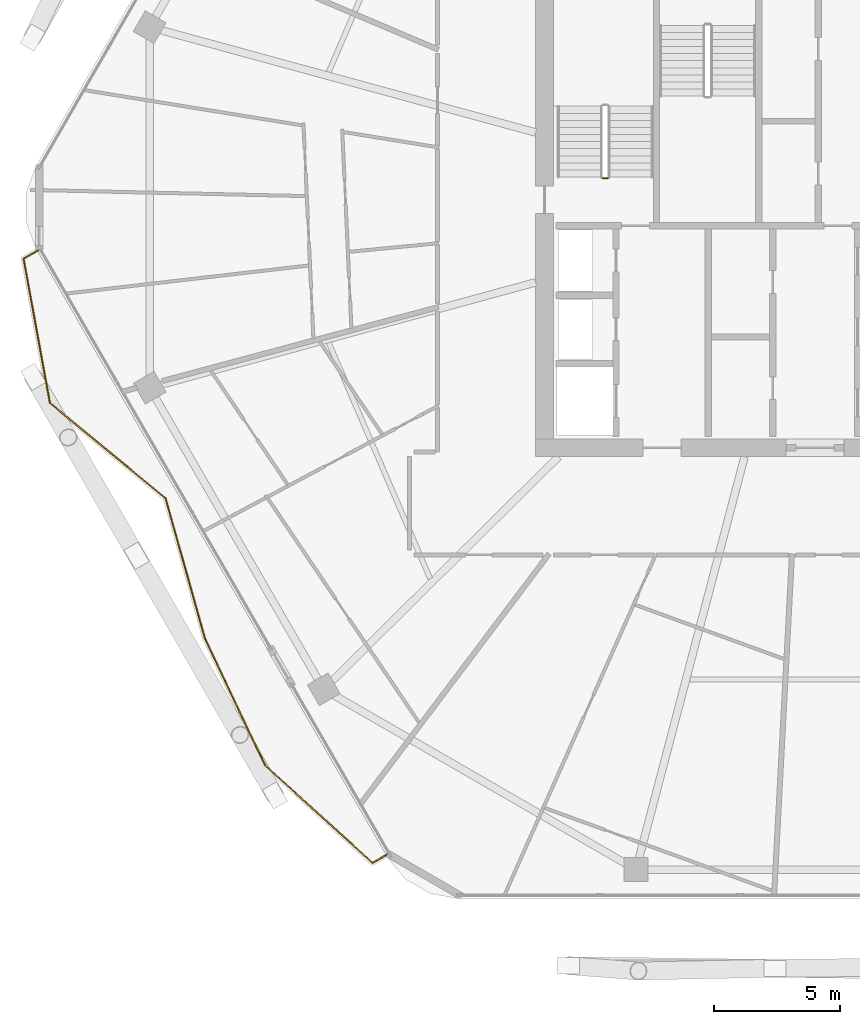
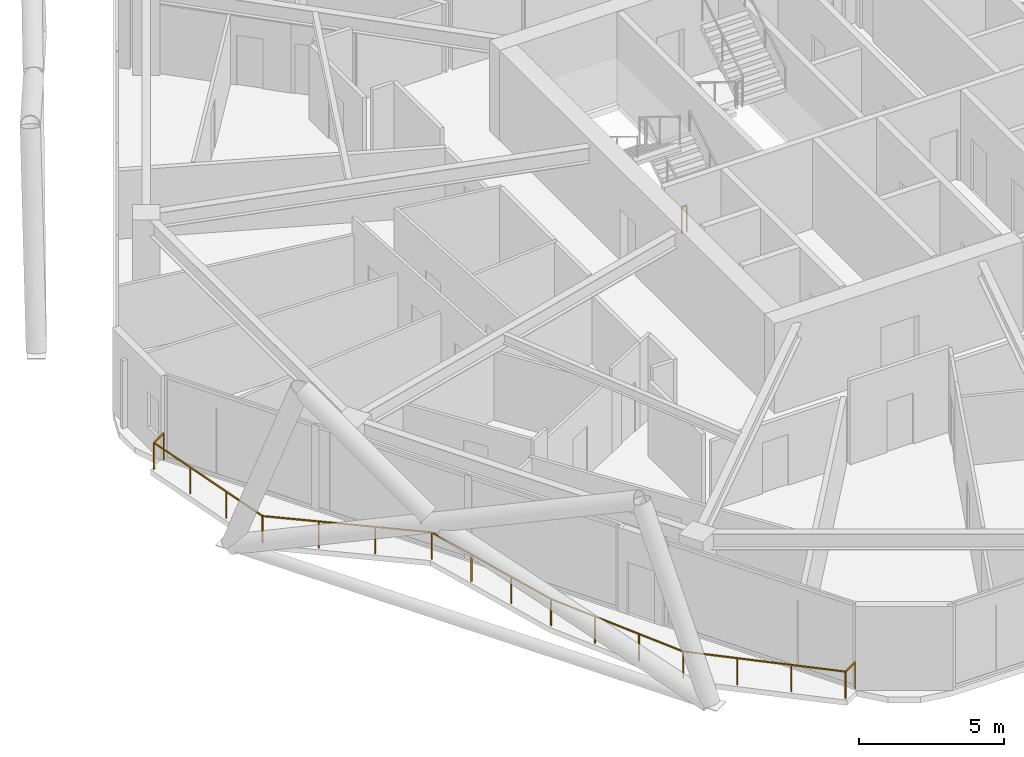
# One storey, part 27 of 29: 2 railings.
"""IFC4 building model written with IfcOpenShell, lengths in metres."""

from ifc_helpers import new_model, si_unit, direction, frame, origin, origin_2d, place, context, subcontext, project, spatial, rectangle, extrude, material, type_object, element, save


model = new_model("IFC4")

# Units and contexts
model_context = context("Model", 3, precision=1e-05, world=origin(), true_north=direction((0.0, 1.0)))
body_context = subcontext(model_context, "Body", "Model", "MODEL_VIEW")
ifc_project = project(units=[si_unit("LENGTHUNIT", "METRE"), si_unit("AREAUNIT", "SQUARE_METRE"), si_unit("VOLUMEUNIT", "CUBIC_METRE"), si_unit("PLANEANGLEUNIT", "RADIAN"), si_unit("MASSUNIT", "GRAM", prefix="KILO")], contexts=[model_context])

# Site, building, storey
site_placement = place(None, origin())
site = spatial("IfcSite", under=ifc_project, at=site_placement, CompositionType="ELEMENT")
building_placement = place(site_placement, origin())
building = spatial("IfcBuilding", under=site, at=building_placement, Name="Zuhravey Tower", CompositionType="ELEMENT")
storey_placement = place(building_placement, frame((0.0, 0.0, 192.199951171875)))
storey = spatial("IfcBuildingStorey", under=building, at=storey_placement, Name="L48", CompositionType="ELEMENT", Elevation=192.199951171875)

# Railings
ifc_material_1 = material(Name="Stainless steel 316 and laminated glass", Category="steel")
railing_type_1 = type_object("IfcRailingType", Name="Balcony & Terrace Guardrail 1150", PredefinedType="BALUSTRADE", material=ifc_material_1)
railing_1_placement = place(storey_placement, frame((19.280029296875, 6.423583984375, 0.0)))
element("IfcRailing", 1, at=railing_1_placement, inside=storey, type_object=railing_type_1, Name="L48 Face 4 Wave Balcony Guardrail GR1", PredefinedType="BALUSTRADE", context=body_context, shape_type="SweptSolid", body=[
    extrude(rectangle(XDim=0.048095703125, YDim=0.048095703125, at=origin_2d()), frame((-0.001708984375, -0.0009765625, 1.1259765625), z_axis=(-0.866027105532, -0.499997052475, 0.0), x_axis=(0.499997052475, -0.866027105532, 0.0)), (0.0, 0.0, 1.0), 0.6630859375),
    extrude(rectangle(XDim=0.048095703125, YDim=0.048095703125, at=origin_2d()), frame((-0.5791015625, -0.33203125, 1.1259765625), z_axis=(-0.740149800828, 0.672442021541, 0.0), x_axis=(-0.672442021541, -0.740149800828, 0.0)), (0.0, 0.0, 1.0), 5.736328125),
    extrude(rectangle(XDim=0.048095703125, YDim=0.048095703125, at=origin_2d()), frame((-4.827392578125, 3.5283203125, 1.1259765625), z_axis=(-0.428167707471, 0.903699294168, 0.0), x_axis=(-0.903699294168, -0.428167707471, 0.0)), (0.0, 0.0, 1.0), 5.542236328125),
    extrude(rectangle(XDim=0.048095703125, YDim=0.048095703125, at=origin_2d()), frame((-7.20166015625, 8.540771484375, 1.1259765625), z_axis=(-0.270814360083, 0.962631592237, 0.0), x_axis=(-0.962631592237, -0.270814360083, 0.0)), (0.0, 0.0, 1.0), 5.752197265625),
    extrude(rectangle(XDim=0.048095703125, YDim=0.048095703125, at=origin_2d()), frame((-8.761474609375, 14.0810546875, 1.1259765625), z_axis=(-0.77144001651, 0.636302051644, 0.0), x_axis=(-0.636302051644, -0.77144001651, 0.0)), (0.0, 0.0, 1.0), 5.921630859375),
    extrude(rectangle(XDim=0.048095703125, YDim=0.048095703125, at=origin_2d()), frame((-13.33154296875, 17.852294921875, 1.1259765625), z_axis=(-0.179222887561, 0.983808495884, 0.0), x_axis=(-0.983808495884, -0.179222887561, 0.0)), (0.0, 0.0, 1.0), 5.78955078125),
    extrude(rectangle(XDim=0.048095703125, YDim=0.048095703125, at=origin_2d()), frame((-14.367919921875, 23.551025390625, 1.1259765625), z_axis=(0.865966883336, 0.500101346695, 0.0), x_axis=(-0.500101346695, 0.865966883336, 0.0)), (0.0, 0.0, 1.0), 0.665283203125),
    extrude(rectangle(XDim=0.0419921875, YDim=0.0419921875, at=origin_2d()), origin(), (0.0, 0.0, 1.0), 1.099853515625),
    extrude(rectangle(XDim=0.0419921875, YDim=0.0419921875, at=origin_2d()), frame((-0.57763671875, -0.33349609375, 0.0)), (0.0, 0.0, 1.0), 1.099853515625),
    extrude(rectangle(XDim=0.0419921875, YDim=0.0419921875, at=origin_2d()), frame((-1.993896484375, 0.953125, 0.0)), (0.0, 0.0, 1.0), 1.099853515625),
    extrude(rectangle(XDim=0.0419921875, YDim=0.0419921875, at=origin_2d()), frame((-3.41015625, 2.239990234375, 0.0)), (0.0, 0.0, 1.0), 1.099853515625),
    extrude(rectangle(XDim=0.0419921875, YDim=0.0419921875, at=origin_2d()), frame((-4.826416015625, 3.526611328125, 0.0)), (0.0, 0.0, 1.0), 1.099853515625),
    extrude(rectangle(XDim=0.0419921875, YDim=0.0419921875, at=origin_2d()), frame((-5.617919921875, 5.197265625, 0.0)), (0.0, 0.0, 1.0), 1.099853515625),
    extrude(rectangle(XDim=0.0419921875, YDim=0.0419921875, at=origin_2d()), frame((-6.40966796875, 6.8681640625, 0.0)), (0.0, 0.0, 1.0), 1.099853515625),
    extrude(rectangle(XDim=0.0419921875, YDim=0.0419921875, at=origin_2d()), frame((-7.201171875, 8.538818359375, 0.0)), (0.0, 0.0, 1.0), 1.099853515625),
    extrude(rectangle(XDim=0.0419921875, YDim=0.0419921875, at=origin_2d()), frame((-7.720703125, 10.3857421875, 0.0)), (0.0, 0.0, 1.0), 1.099853515625),
    extrude(rectangle(XDim=0.0419921875, YDim=0.0419921875, at=origin_2d()), frame((-8.240478515625, 12.23291015625, 0.0)), (0.0, 0.0, 1.0), 1.099853515625),
    extrude(rectangle(XDim=0.0419921875, YDim=0.0419921875, at=origin_2d()), frame((-8.760009765625, 14.079833984375, 0.0)), (0.0, 0.0, 1.0), 1.099853515625),
    extrude(rectangle(XDim=0.0419921875, YDim=0.0419921875, at=origin_2d()), frame((-10.28369140625, 15.336669921875, 0.0)), (0.0, 0.0, 1.0), 1.099853515625),
    extrude(rectangle(XDim=0.0419921875, YDim=0.0419921875, at=origin_2d()), frame((-11.8076171875, 16.593505859375, 0.0)), (0.0, 0.0, 1.0), 1.099853515625),
    extrude(rectangle(XDim=0.0419921875, YDim=0.0419921875, at=origin_2d()), frame((-13.331298828125, 17.850341796875, 0.0)), (0.0, 0.0, 1.0), 1.099853515625),
    extrude(rectangle(XDim=0.0419921875, YDim=0.0419921875, at=origin_2d()), frame((-13.677490234375, 19.750244140625, 0.0)), (0.0, 0.0, 1.0), 1.099853515625),
    extrude(rectangle(XDim=0.0419921875, YDim=0.0419921875, at=origin_2d()), frame((-14.0234375, 21.650146484375, 0.0)), (0.0, 0.0, 1.0), 1.099853515625),
    extrude(rectangle(XDim=0.0419921875, YDim=0.0419921875, at=origin_2d()), frame((-14.36962890625, 23.550048828125, 0.0)), (0.0, 0.0, 1.0), 1.099853515625),
    extrude(rectangle(XDim=0.0419921875, YDim=0.0419921875, at=origin_2d()), frame((-13.7900390625, 23.884765625, 0.0)), (0.0, 0.0, 1.0), 1.099853515625),
])
ifc_material_2 = material(Name="Painted tubular steel", Category="steel")
railing_type_2 = type_object("IfcRailingType", Name="Stair Well Guardrail 1150", PredefinedType="GUARDRAIL", material=ifc_material_2)
railing_2_placement = place(storey_placement, frame((28.0, 33.14990234375, 0.0)))
element("IfcRailing", 2, at=railing_2_placement, inside=storey, type_object=railing_type_2, Name="L48 ST1 stair guard 4", PredefinedType="GUARDRAIL", context=body_context, shape_type="SweptSolid", body=[
    extrude(rectangle(XDim=0.048095703125, YDim=0.048095703125, at=origin_2d()), frame((-0.001953125, 0.0, 1.1259765625), z_axis=(-1.0, 0.0, 0.0), x_axis=(0.0, -1.0, 0.0)), (0.0, 0.0, 1.0), 0.196044921875),
    extrude(rectangle(XDim=0.0419921875, YDim=0.0419921875, at=origin_2d()), origin(), (0.0, 0.0, 1.0), 1.099853515625),
    extrude(rectangle(XDim=0.0419921875, YDim=0.0419921875, at=origin_2d()), frame((-0.199951171875, 0.0, 0.0)), (0.0, 0.0, 1.0), 1.099853515625),
])

save(model, "model.ifc")
